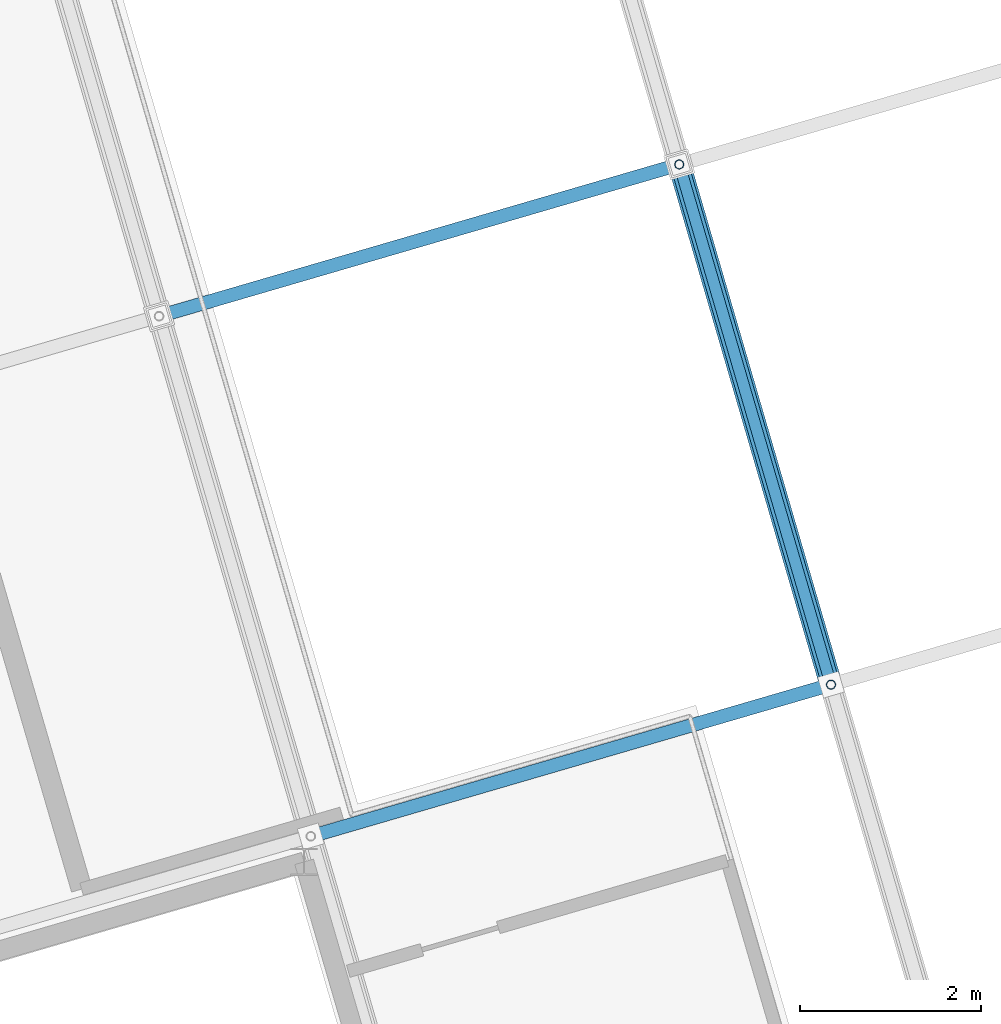
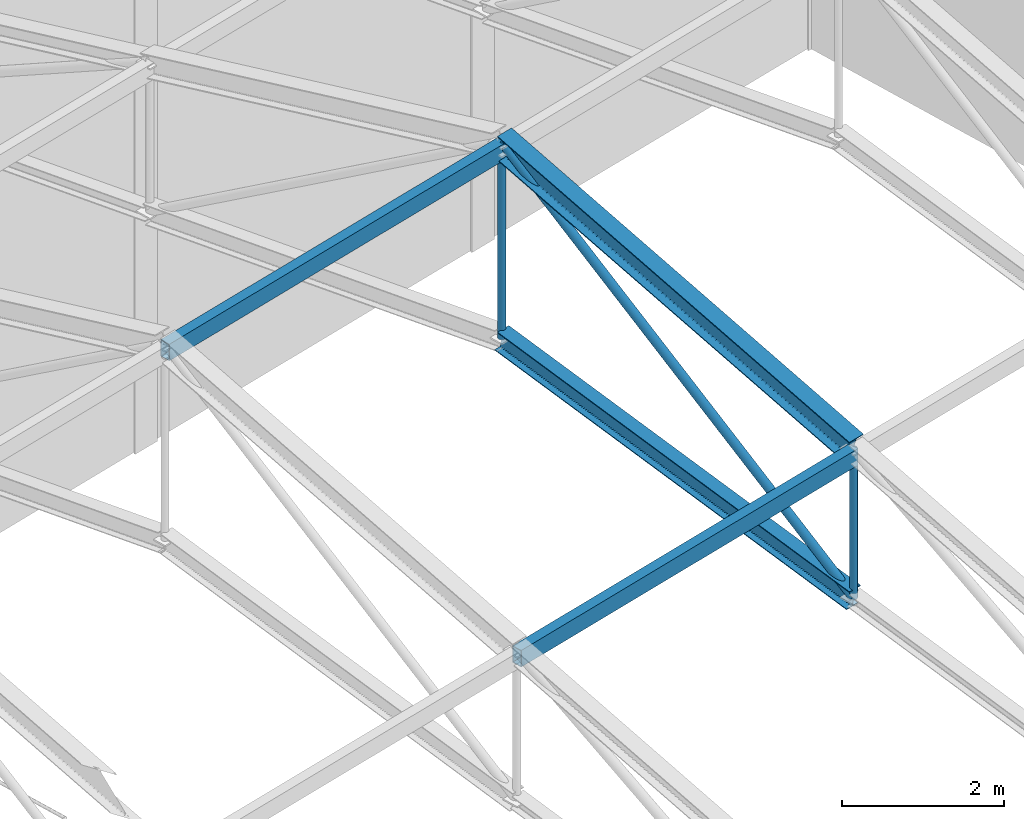
# One storey, part 164 of 248: 7 members.
"""IFC4 building model written with IfcOpenShell, lengths in metres."""

from ifc_helpers import new_model, si_unit, direction, frame, origin, origin_2d, place, context, subcontext, project, spatial, hollow_rectangle, hollow_circle, i_section, extrude, material, material_profile, profile_set, type_object, element, save


model = new_model("IFC4")

# Units and contexts
model_context = context("Model", 3, precision=1e-05, world=origin(), true_north=direction((0.0, 1.0)))
body_context = subcontext(model_context, "Body", "Model", "MODEL_VIEW")
ifc_project = project(units=[si_unit("LENGTHUNIT", "METRE"), si_unit("AREAUNIT", "SQUARE_METRE"), si_unit("VOLUMEUNIT", "CUBIC_METRE"), si_unit("PLANEANGLEUNIT", "RADIAN"), si_unit("MASSUNIT", "GRAM", prefix="KILO")], contexts=[model_context])

# Site, building, storey
site_placement = place(None, origin())
site = spatial("IfcSite", under=ifc_project, at=site_placement, CompositionType="ELEMENT")
building_placement = place(site_placement, origin())
building = spatial("IfcBuilding", under=site, at=building_placement, Name="Canggui Botanical Conservatory", CompositionType="ELEMENT")
storey_placement = place(building_placement, frame((0.0, 0.0, 5.39990234375)))
storey = spatial("IfcBuildingStorey", under=building, at=storey_placement, Name="L02", CompositionType="ELEMENT", Elevation=5.39990234375)

# Members
ifc_material = material(Name="Steel Q355B", Category="steel")
ifc_material_profile_1 = material_profile(ifc_material, hollow_rectangle(XDim=0.14990234375, YDim=0.25, WallThickness=0.008056640625, at=origin_2d()), Name="RHS 150x250x8")
ifc_profile_set_1 = profile_set([ifc_material_profile_1], Name="Steel Q355B")
member_type_1 = type_object("IfcMemberType", Name="MEM-PUR01", PredefinedType="PURLIN", material=ifc_profile_set_1)
for number, where, z_axis, x_axis, name in (
    (1, (75.840087890625, 99.1201171875, 11.550048828125), (0.960003190047, 0.279989062464, 0.0), (-0.279989062464, 0.960003190047, 0.0), "Auditorium Roof Purlin 3-1"),
    (2, (74.159912109375, 104.8798828125, 13.25), (0.959992252312, 0.280026562133, 0.0), (-0.280026562133, 0.959992252312, 0.0), "Auditorium Roof Purlin 3-2"),
):
    element("IfcMember", number, at=place(storey_placement, frame(where, z_axis=z_axis, x_axis=x_axis)), inside=storey, type_object=member_type_1, Name=name, PredefinedType="PURLIN", context=body_context, shape_type="SweptSolid", body=[
        extrude(hollow_rectangle(XDim=0.14990234375, YDim=0.25, WallThickness=0.008056640625, at=origin_2d()), origin(), (0.0, 0.0, 1.0), 6.0),
    ])
ifc_material_profile_2 = material_profile(ifc_material, i_section(OverallWidth=0.25, OverallDepth=0.35009765625, WebThickness=0.009033203125, FlangeThickness=0.013916015625, FilletRadius=0.02001953125, at=origin_2d()), Name="HM 350x250x9x14")
ifc_profile_set_2 = profile_set([ifc_material_profile_2], Name="Steel Q355B")
member_type_2 = type_object("IfcMemberType", Name="MEM-TC03", PredefinedType="CHORD", material=ifc_profile_set_2)
member_1_placement = place(storey_placement, frame((81.60009765625, 100.800048828125, 11.650146484375), z_axis=(-0.269421810075, 0.923636844681, 0.27259286015), x_axis=(-0.959992252312, -0.280026562133, 0.0)))
element("IfcMember", 3, at=member_1_placement, inside=storey, type_object=member_type_2, Name="Auditorium Truss AT-04 Top Chord 2", PredefinedType="CHORD", context=body_context, shape_type="SweptSolid", body=[
    extrude(i_section(OverallWidth=0.25, OverallDepth=0.35009765625, WebThickness=0.009033203125, FlangeThickness=0.013916015625, FilletRadius=0.02001953125, at=origin_2d()), origin(), (0.0, 0.0, 1.0), 6.236328125),
])
ifc_material_profile_3 = material_profile(ifc_material, i_section(OverallWidth=0.199951171875, OverallDepth=0.300048828125, WebThickness=0.008056640625, FlangeThickness=0.011962890625, FilletRadius=0.01806640625, at=origin_2d()), Name="HM 300x200x8x12")
ifc_profile_set_3 = profile_set([ifc_material_profile_3], Name="Steel Q355B")
member_type_3 = type_object("IfcMemberType", Name="MEM-TC04", PredefinedType="CHORD", material=ifc_profile_set_3)
member_2_placement = place(storey_placement, frame((81.60009765625, 100.800048828125, 9.400146484375), z_axis=(-0.276216572305, 0.946930774542, 0.164397425191), x_axis=(-0.959992252312, -0.280026562133, 0.0)))
element("IfcMember", 4, at=member_2_placement, inside=storey, type_object=member_type_3, Name="Auditorium Truss AT-04 Bottom Chord 2", PredefinedType="CHORD", context=body_context, shape_type="SweptSolid", body=[
    extrude(i_section(OverallWidth=0.199951171875, OverallDepth=0.300048828125, WebThickness=0.008056640625, FlangeThickness=0.011962890625, FilletRadius=0.01806640625, at=origin_2d()), origin(), (0.0, 0.0, 1.0), 6.082763671875),
])
ifc_material_profile_4 = material_profile(ifc_material, hollow_circle(Radius=0.0634765625, WallThickness=0.006103515625, at=origin_2d()), Name="CHS 127x6")
ifc_profile_set_4 = profile_set([ifc_material_profile_4], Name="Steel Q355B")
member_type_4 = type_object("IfcMemberType", Name="MEM-TW02", PredefinedType="BRACE", material=ifc_profile_set_4)
member_3_placement = place(storey_placement, frame((81.60009765625, 100.800048828125, 9.400146484375), z_axis=(-0.233893424927, 0.80183777598, 0.549863662), x_axis=(-0.959992252312, -0.280026562133, 0.0)))
element("IfcMember", 5, at=member_3_placement, inside=storey, type_object=member_type_4, Name="Auditorium Truss AT-04 Web Diagonal 2", PredefinedType="BRACE", context=body_context, shape_type="SweptSolid", body=[
    extrude(hollow_circle(Radius=0.0634765625, WallThickness=0.006103515625, at=origin_2d()), origin(), (0.0, 0.0, 1.0), 7.18359375),
])
ifc_material_profile_5 = material_profile(ifc_material, hollow_circle(Radius=0.051025390625, WallThickness=0.0048828125, at=origin_2d()), Name="CHS 102x5")
ifc_profile_set_5 = profile_set([ifc_material_profile_5], Name="Steel Q355B")
member_type_5 = type_object("IfcMemberType", Name="MEM-TW04", PredefinedType="BRACE", material=ifc_profile_set_5)
member_4_placement = place(storey_placement, frame((81.60009765625, 100.800048828125, 9.400146484375), z_axis=(0.0, 0.0, 1.0), x_axis=(1.0, 0.0, 0.0)))
element("IfcMember", 6, at=member_4_placement, inside=storey, type_object=member_type_5, Name="Auditorium Truss AT-04 Vertical Post 2", PredefinedType="BRACE", context=body_context, shape_type="SweptSolid", body=[
    extrude(hollow_circle(Radius=0.051025390625, WallThickness=0.0048828125, at=origin_2d()), origin(), (0.0, 0.0, 1.0), 2.25),
])
member_5_placement = place(storey_placement, frame((79.919921875, 106.56005859375, 10.400146484375), z_axis=(0.0, 0.0, 1.0), x_axis=(1.0, 0.0, 0.0)))
element("IfcMember", 7, at=member_5_placement, inside=storey, type_object=member_type_5, Name="Auditorium Truss AT-04 Vertical Post 3", PredefinedType="BRACE", context=body_context, shape_type="SweptSolid", body=[
    extrude(hollow_circle(Radius=0.051025390625, WallThickness=0.0048828125, at=origin_2d()), origin(), (0.0, 0.0, 1.0), 2.949951171875),
])

save(model, "model.ifc")
